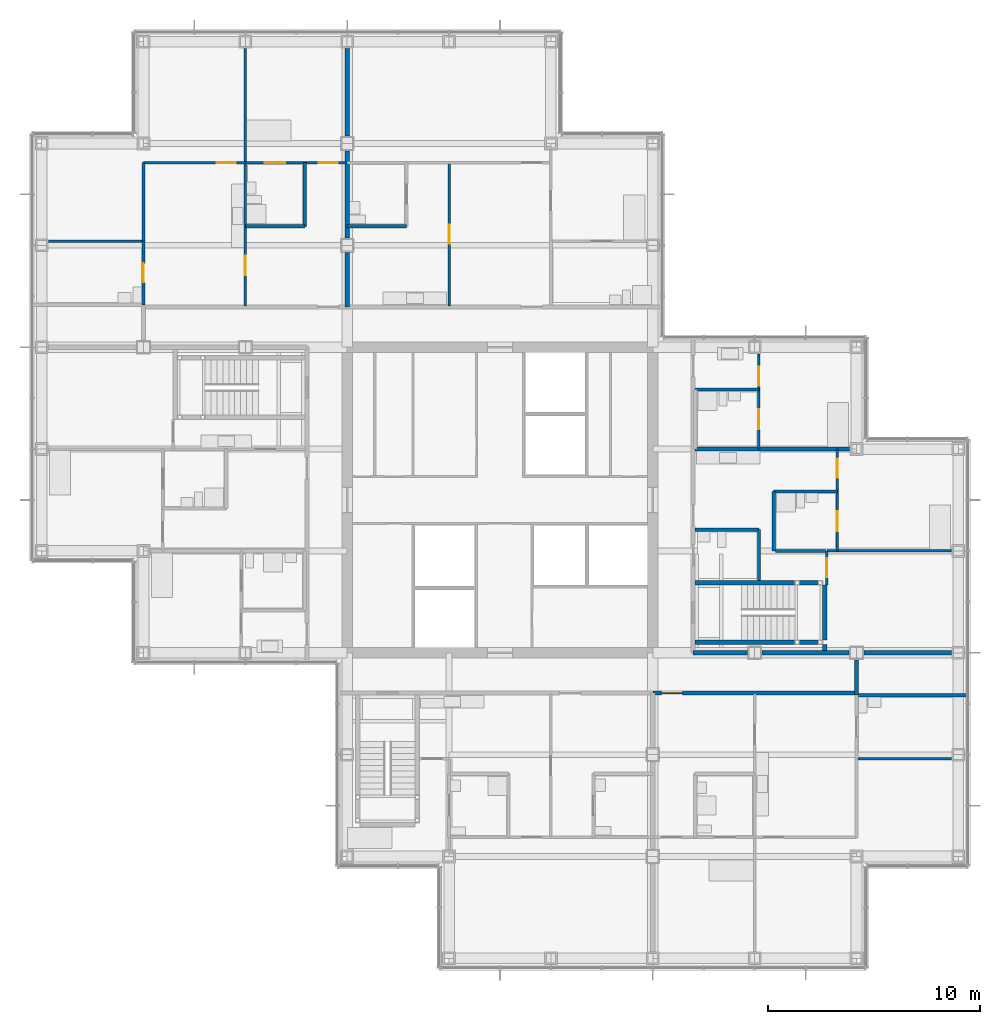
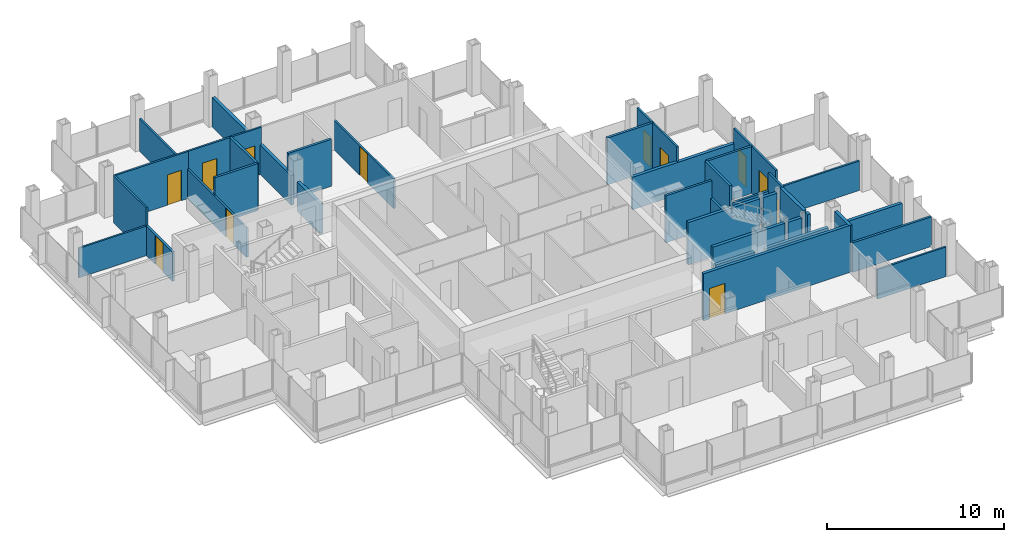
# One storey, part 16 of 20: 38 walls, 12 doors, 12 openings.
"""IFC4 building model written with IfcOpenShell, lengths in metres."""

from ifc_helpers import new_model, si_unit, direction, frame, frame_2d, origin, place, context, subcontext, project, spatial, rectangle, extrude, material, layer, layer_set, type_object, element, fill, save


model = new_model("IFC4")

# Units and contexts
model_context = context("Model", 3, precision=1e-05, world=origin(), true_north=direction((0.0, 1.0)))
body_context = subcontext(model_context, "Body", "Model", "MODEL_VIEW")
ifc_project = project(units=[si_unit("LENGTHUNIT", "METRE"), si_unit("AREAUNIT", "SQUARE_METRE"), si_unit("VOLUMEUNIT", "CUBIC_METRE"), si_unit("PLANEANGLEUNIT", "RADIAN"), si_unit("MASSUNIT", "GRAM", prefix="KILO")], contexts=[model_context])

# Site, building, storey
site_placement = place(None, origin())
site = spatial("IfcSite", under=ifc_project, at=site_placement, CompositionType="ELEMENT")
building_placement = place(site_placement, origin())
building = spatial("IfcBuilding", under=site, at=building_placement, Name="Kvirike Care Tower", CompositionType="ELEMENT")
storey_placement = place(building_placement, frame((0.0, 0.0, 133.0)))
storey = spatial("IfcBuildingStorey", under=building, at=storey_placement, Name="L36", CompositionType="ELEMENT", Elevation=133.0)

# Walls
ifc_material_1 = material(Name="Moisture-resistant board partition", Category="gypsum")
ifc_layer_1 = layer(ifc_material_1, 0.14990234375)
ifc_layer_set_1 = layer_set([ifc_layer_1], Name="BATHROOM WALL 150")
wall_type_1 = type_object("IfcWallType", Name="BATHROOM WALL 150", PredefinedType="PARTITIONING", material=ifc_layer_set_1)
wall_1_placement = place(storey_placement, frame((12.39990234375, 51.89990234375, 0.0), z_axis=(0.0, 0.0, 1.0), x_axis=(0.0, -1.0, 0.0)))
element("IfcWall", 1, at=wall_1_placement, inside=storey, type_object=wall_type_1, Name="Bathroom Wall 150 L36", PredefinedType="PARTITIONING", context=body_context, shape_type="SweptSolid", body=[
    extrude(rectangle(XDim=3.0, YDim=0.14990234375, at=frame_2d((1.5, 0.0))), origin(), (0.0, 0.0, 1.0), 3.25),
])
wall_2_placement = place(storey_placement, frame((12.39990234375, 48.89990234375, 0.0), z_axis=(0.0, 0.0, 1.0), x_axis=(-1.0, 0.0, 0.0)))
element("IfcWall", 2, at=wall_2_placement, inside=storey, type_object=wall_type_1, Name="Bathroom Wall 150 L36", PredefinedType="PARTITIONING", context=body_context, shape_type="SweptSolid", body=[
    extrude(rectangle(XDim=2.7998046875, YDim=0.14990234375, at=frame_2d((1.39990234375, 0.0))), origin(), (0.0, 0.0, 1.0), 3.25),
])

# Wall, opening, door
wall_3_placement = place(storey_placement, frame((4.800048828125, 48.199951171875, 0.0), z_axis=(0.0, 0.0, 1.0), x_axis=(0.0, -1.0, 0.0)))
wall_3 = element("IfcWall", 3, at=wall_3_placement, inside=storey, type_object=wall_type_1, Name="Bathroom Wall 150 L36", PredefinedType="PARTITIONING", context=body_context, shape_type="SweptSolid", body=[
    extrude(rectangle(XDim=3.0, YDim=0.14990234375, at=frame_2d((1.5, 0.0))), origin(), (0.0, 0.0, 1.0), 2.0400390625),
])
opening_1_placement = place(wall_3_placement, frame((1.050048828125, 0.0, 0.0)))
opening_1 = element("IfcOpeningElement", 4, at=opening_1_placement, cuts=wall_3, Name="Opening 36-010", PredefinedType="OPENING", context=body_context, shape_type="SweptSolid", body=[
    extrude(rectangle(XDim=0.89990234375, YDim=2.0, at=frame_2d((0.449951171875, 1.0))), frame((0.0, 0.08544921875, 0.0), z_axis=(0.0, -1.0, 0.0), x_axis=(1.0, 0.0, 0.0)), (0.0, 0.0, 1.0), 0.1708984375),
])
ifc_material_2 = material(Name="Timber door set", Category="wood")
door_type_1 = type_object("IfcDoorType", Name="BATHROOM DOOR 900 x 2000", OperationType="SINGLE_SWING_RIGHT", PredefinedType="DOOR", material=ifc_material_2)
door_1_placement = place(opening_1_placement, frame((0.89990234375, 0.0, 0.0), z_axis=(0.0, 0.0, 1.0), x_axis=(-1.0, 0.0, 0.0)))
door_1 = element("IfcDoor", 5, at=door_1_placement, inside=storey, type_object=door_type_1, Name="Accessible WC door", OperationType="SINGLE_SWING_LEFT", OverallHeight=2.0, OverallWidth=0.89990234375, PredefinedType="DOOR", context=body_context, shape_type="SweptSolid", body=[
    extrude(rectangle(XDim=0.89990234375, YDim=2.0, at=frame_2d((0.449951171875, 1.0))), frame((0.0, 0.02197265625, 0.0), z_axis=(0.0, -1.0, 0.0), x_axis=(1.0, 0.0, 0.0)), (0.0, 0.0, 1.0), 0.0439453125),
])
fill(opening_1, door_1)

# Walls
wall_4_placement = place(storey_placement, frame((17.199951171875, 48.89990234375, 0.0), z_axis=(0.0, 0.0, 1.0), x_axis=(-1.0, 0.0, 0.0)))
element("IfcWall", 6, at=wall_4_placement, inside=storey, type_object=wall_type_1, Name="Bathroom Wall 150 L36", PredefinedType="PARTITIONING", context=body_context, shape_type="SweptSolid", body=[
    extrude(rectangle(XDim=2.800048828125, YDim=0.14990234375, at=frame_2d((1.39990234375, 0.0))), origin(), (0.0, 0.0, 1.0), 3.25),
])
wall_5_placement = place(storey_placement, frame((33.800048828125, 32.199951171875, 0.0), z_axis=(0.0, 0.0, 1.0), x_axis=(0.0, 1.0, 0.0)))
element("IfcWall", 7, at=wall_5_placement, inside=storey, type_object=wall_type_1, Name="Bathroom Wall 150 L36", PredefinedType="PARTITIONING", context=body_context, shape_type="SweptSolid", body=[
    extrude(rectangle(XDim=2.400146484375, YDim=0.14990234375, at=frame_2d((1.2001953125, 0.0))), origin(), (0.0, 0.0, 1.0), 2.0400390625),
])
for number, where, z_axis, x_axis, name in (
    (8, (33.800048828125, 34.60009765625, 0.0), (0.0, 0.0, 1.0), (-1.0, 0.0, 0.0), "Bathroom Wall 150 L36"),
    (9, (37.5, 36.39990234375, 0.0), (0.0, 0.0, 1.0), (-1.0, 0.0, 0.0), "Bathroom Wall 150 L36"),
):
    element("IfcWall", number, at=place(storey_placement, frame(where, z_axis=z_axis, x_axis=x_axis)), inside=storey, type_object=wall_type_1, Name=name, PredefinedType="PARTITIONING", context=body_context, shape_type="SweptSolid", body=[
        extrude(rectangle(XDim=3.0, YDim=0.14990234375, at=frame_2d((1.5, 0.0))), origin(), (0.0, 0.0, 1.0), 3.25),
    ])
wall_6_placement = place(storey_placement, frame((34.5, 33.60009765625, 0.0), z_axis=(0.0, 0.0, 1.0), x_axis=(0.0, 1.0, 0.0)))
element("IfcWall", 10, at=wall_6_placement, inside=storey, type_object=wall_type_1, Name="Bathroom Wall 150 L36", PredefinedType="PARTITIONING", context=body_context, shape_type="SweptSolid", body=[
    extrude(rectangle(XDim=2.7998046875, YDim=0.14990234375, at=frame_2d((1.39990234375, 0.0))), origin(), (0.0, 0.0, 1.0), 3.25),
])
wall_7_placement = place(storey_placement, frame((33.800048828125, 41.199951171875, 0.0), z_axis=(0.0, 0.0, 1.0), x_axis=(-1.0, 0.0, 0.0)))
element("IfcWall", 11, at=wall_7_placement, inside=storey, type_object=wall_type_1, Name="Bathroom Wall 150 L36", PredefinedType="PARTITIONING", context=body_context, shape_type="SweptSolid", body=[
    extrude(rectangle(XDim=3.0, YDim=0.14990234375, at=frame_2d((1.5, 0.0))), origin(), (0.0, 0.0, 1.0), 3.25),
])
wall_8_placement = place(storey_placement, frame((38.5, 26.800048828125, 0.0), z_axis=(0.0, 0.0, 1.0), x_axis=(1.0, 0.0, 0.0)))
element("IfcWall", 12, at=wall_8_placement, inside=storey, type_object=wall_type_1, Name="Bathroom Wall 150 L36", PredefinedType="PARTITIONING", context=body_context, shape_type="SweptSolid", body=[
    extrude(rectangle(XDim=5.139892578125, YDim=0.14990234375, at=frame_2d((2.56982421875, 0.0))), origin(), (0.0, 0.0, 1.0), 2.0400390625),
])
wall_9_placement = place(storey_placement, frame((36.93994140625, 33.60009765625, 0.0), z_axis=(0.0, 0.0, 1.0), x_axis=(-1.0, 0.0, 0.0)))
element("IfcWall", 13, at=wall_9_placement, inside=storey, type_object=wall_type_1, Name="Bathroom Wall 150 L36", PredefinedType="PARTITIONING", context=body_context, shape_type="SweptSolid", body=[
    extrude(rectangle(XDim=2.364990234375, YDim=0.14990234375, at=frame_2d((1.1826171875, 0.0))), origin(), (0.0, 0.0, 1.0), 2.0400390625),
])

# Wall, opening, door
ifc_material_3 = material(Name="Plasterboard corridor wall", Category="gypsum")
ifc_layer_2 = layer(ifc_material_3, 0.199951171875)
ifc_layer_set_2 = layer_set([ifc_layer_2], Name="CORRIDOR WALL 200")
wall_type_2 = type_object("IfcWallType", Name="CORRIDOR WALL 200", PredefinedType="PARTITIONING", material=ifc_layer_set_2)
wall_10_placement = place(storey_placement, frame((28.800048828125, 26.89990234375, 0.0), z_axis=(0.0, 0.0, 1.0), x_axis=(1.0, 0.0, 0.0)))
wall_10 = element("IfcWall", 14, at=wall_10_placement, inside=storey, type_object=wall_type_2, Name="Corridor Wall 200 L36", PredefinedType="PARTITIONING", context=body_context, shape_type="SweptSolid", body=[
    extrude(rectangle(XDim=9.599853515625, YDim=0.199951171875, at=frame_2d((4.7998046875, 0.0))), origin(), (0.0, 0.0, 1.0), 3.25),
])
opening_2_placement = place(wall_10_placement, frame((0.39990234375, 0.0, 0.0)))
opening_2 = element("IfcOpeningElement", 15, at=opening_2_placement, cuts=wall_10, Name="Opening 36-034", PredefinedType="OPENING", context=body_context, shape_type="SweptSolid", body=[
    extrude(rectangle(XDim=1.0, YDim=2.10009765625, at=frame_2d((0.5, 1.050048828125))), frame((0.0, 0.110595703125, 0.0), z_axis=(0.0, -1.0, 0.0), x_axis=(1.0, 0.0, 0.0)), (0.0, 0.0, 1.0), 0.220947265625),
])
ifc_material_4 = material(Name="Timber door set", Category="wood")
door_type_2 = type_object("IfcDoorType", Name="FLAT ENTRANCE DOOR 1000", OperationType="SINGLE_SWING_LEFT", PredefinedType="DOOR", material=ifc_material_4)
door_2_placement = place(opening_2_placement, frame((1.0, 0.0, 0.0), z_axis=(0.0, 0.0, 1.0), x_axis=(-1.0, 0.0, 0.0)))
door_2 = element("IfcDoor", 16, at=door_2_placement, inside=storey, type_object=door_type_2, Name="Assisted living suite for couples entrance", OperationType="SINGLE_SWING_LEFT", OverallHeight=2.10009765625, OverallWidth=1.0, PredefinedType="DOOR", context=body_context, shape_type="SweptSolid", body=[
    extrude(rectangle(XDim=1.0, YDim=2.10009765625, at=frame_2d((0.5, 1.050048828125))), frame((0.0, 0.02685546875, 0.0), z_axis=(0.0, -1.0, 0.0), x_axis=(1.0, 0.0, 0.0)), (0.0, 0.0, 1.0), 0.053955078125),
])
fill(opening_2, door_2)

# Wall
wall_11_placement = place(storey_placement, frame((38.39990234375, 26.800048828125, 0.0), z_axis=(0.0, 0.0, 1.0), x_axis=(0.0, 1.0, 0.0)))
element("IfcWall", 17, at=wall_11_placement, inside=storey, type_object=wall_type_2, Name="Corridor Wall 200 L36", PredefinedType="PARTITIONING", context=body_context, shape_type="SweptSolid", body=[
    extrude(rectangle(XDim=1.655029296875, YDim=0.199951171875, at=frame_2d((0.82763671875, 0.0))), origin(), (0.0, 0.0, 1.0), 3.25),
])

# Wall, opening, door
ifc_material_5 = material(Name="Plasterboard partition", Category="gypsum")
ifc_layer_3 = layer(ifc_material_5, 0.1201171875)
ifc_layer_set_3 = layer_set([ifc_layer_3], Name="PARTITION 120")
wall_type_3 = type_object("IfcWallType", Name="PARTITION 120", PredefinedType="PARTITIONING", material=ifc_layer_set_3)
wall_12_placement = place(storey_placement, frame((9.60009765625, 51.89990234375, 0.0), z_axis=(0.0, 0.0, 1.0), x_axis=(0.0, -1.0, 0.0)))
wall_12 = element("IfcWall", 18, at=wall_12_placement, inside=storey, type_object=wall_type_3, Name="Partition 120 L36", PredefinedType="PARTITIONING", context=body_context, shape_type="SweptSolid", body=[
    extrude(rectangle(XDim=6.75, YDim=0.1201171875, at=frame_2d((3.375, 0.0))), origin(), (0.0, 0.0, 1.0), 2.0400390625),
])
opening_3_placement = place(wall_12_placement, frame((4.39990234375, 0.0, 0.0)))
opening_3 = element("IfcOpeningElement", 19, at=opening_3_placement, cuts=wall_12, Name="Opening 36-011", PredefinedType="OPENING", context=body_context, shape_type="SweptSolid", body=[
    extrude(rectangle(XDim=0.89990234375, YDim=2.0, at=frame_2d((0.449951171875, 1.0))), frame((0.0, 0.070556640625, 0.0), z_axis=(0.0, -1.0, 0.0), x_axis=(1.0, 0.0, 0.0)), (0.0, 0.0, 1.0), 0.14111328125),
])
ifc_material_6 = material(Name="Timber door set", Category="wood")
door_type_3 = type_object("IfcDoorType", Name="INTERNAL DOOR 900 x 2000", OperationType="SINGLE_SWING_LEFT", PredefinedType="DOOR", material=ifc_material_6)
door_3_placement = place(opening_3_placement, origin())
door_3 = element("IfcDoor", 20, at=door_3_placement, inside=storey, type_object=door_type_3, Name="Hall door", OperationType="SINGLE_SWING_RIGHT", OverallHeight=2.0, OverallWidth=0.89990234375, PredefinedType="DOOR", context=body_context, shape_type="SweptSolid", body=[
    extrude(rectangle(XDim=0.89990234375, YDim=2.0, at=frame_2d((0.449951171875, 1.0))), frame((0.0, 0.02197265625, 0.0), z_axis=(0.0, -1.0, 0.0), x_axis=(1.0, 0.0, 0.0)), (0.0, 0.0, 1.0), 0.0439453125),
])
fill(opening_3, door_3)

# Wall, openings, doors
wall_13_placement = place(storey_placement, frame((14.39990234375, 51.89990234375, 0.0), z_axis=(0.0, 0.0, 1.0), x_axis=(-1.0, 0.0, 0.0)))
wall_13 = element("IfcWall", 21, at=wall_13_placement, inside=storey, type_object=wall_type_3, Name="Partition 120 L36", PredefinedType="PARTITIONING", context=body_context, shape_type="SweptSolid", body=[
    extrude(rectangle(XDim=4.7998046875, YDim=0.1201171875, at=frame_2d((2.39990234375, 0.0))), origin(), (0.0, 0.0, 1.0), 3.25),
])
opening_4_placement = place(wall_13_placement, frame((0.449951171875, 0.0, 0.0)))
opening_4 = element("IfcOpeningElement", 22, at=opening_4_placement, cuts=wall_13, Name="Opening 36-012", PredefinedType="OPENING", context=body_context, shape_type="SweptSolid", body=[
    extrude(rectangle(XDim=0.89990234375, YDim=2.10009765625, at=frame_2d((0.449951171875, 1.050048828125))), frame((0.0, 0.070556640625, 0.0), z_axis=(0.0, -1.0, 0.0), x_axis=(1.0, 0.0, 0.0)), (0.0, 0.0, 1.0), 0.14111328125),
])
opening_5_placement = place(wall_13_placement, frame((2.925048828125, 0.0, 0.0)))
opening_5 = element("IfcOpeningElement", 23, at=opening_5_placement, cuts=wall_13, Name="Opening 36-013", PredefinedType="OPENING", context=body_context, shape_type="SweptSolid", body=[
    extrude(rectangle(XDim=0.949951171875, YDim=2.10009765625, at=frame_2d((0.47509765625, 1.050048828125))), frame((0.0, 0.070556640625, 0.0), z_axis=(0.0, -1.0, 0.0), x_axis=(1.0, 0.0, 0.0)), (0.0, 0.0, 1.0), 0.14111328125),
])
ifc_material_7 = material(Name="Timber door set", Category="wood")
door_type_4 = type_object("IfcDoorType", Name="EN-SUITE SLIDING DOOR 950", OperationType="SLIDING_TO_LEFT", PredefinedType="DOOR", material=ifc_material_7)
door_4_placement = place(opening_5_placement, origin())
door_4 = element("IfcDoor", 24, at=door_4_placement, inside=storey, type_object=door_type_4, Name="En-suite door", OperationType="SLIDING_TO_LEFT", OverallHeight=2.10009765625, OverallWidth=0.949951171875, PredefinedType="DOOR", context=body_context, shape_type="SweptSolid", body=[
    extrude(rectangle(XDim=0.949951171875, YDim=2.10009765625, at=frame_2d((0.47509765625, 1.050048828125))), frame((0.0, 0.02197265625, 0.0), z_axis=(0.0, -1.0, 0.0), x_axis=(1.0, 0.0, 0.0)), (0.0, 0.0, 1.0), 0.0439453125),
])
fill(opening_5, door_4)
ifc_material_8 = material(Name="Timber door set", Category="wood")
door_type_5 = type_object("IfcDoorType", Name="INTERNAL DOOR 900", OperationType="SINGLE_SWING_LEFT", PredefinedType="DOOR", material=ifc_material_8)
door_5_placement = place(opening_4_placement, origin())
door_5 = element("IfcDoor", 25, at=door_5_placement, inside=storey, type_object=door_type_5, Name="Assisted living suite door", OperationType="SINGLE_SWING_RIGHT", OverallHeight=2.10009765625, OverallWidth=0.89990234375, PredefinedType="DOOR", context=body_context, shape_type="SweptSolid", body=[
    extrude(rectangle(XDim=0.89990234375, YDim=2.10009765625, at=frame_2d((0.449951171875, 1.050048828125))), frame((0.0, 0.02197265625, 0.0), z_axis=(0.0, -1.0, 0.0), x_axis=(1.0, 0.0, 0.0)), (0.0, 0.0, 1.0), 0.0439453125),
])
fill(opening_4, door_5)

# Wall, opening, door
wall_14_placement = place(storey_placement, frame((9.60009765625, 51.89990234375, 0.0), z_axis=(0.0, 0.0, 1.0), x_axis=(-1.0, 0.0, 0.0)))
wall_14 = element("IfcWall", 26, at=wall_14_placement, inside=storey, type_object=wall_type_3, Name="Partition 120 L36", PredefinedType="PARTITIONING", context=body_context, shape_type="SweptSolid", body=[
    extrude(rectangle(XDim=4.800048828125, YDim=0.1201171875, at=frame_2d((2.39990234375, 0.0))), origin(), (0.0, 0.0, 1.0), 3.25),
])
opening_6_placement = place(wall_14_placement, frame((0.449951171875, 0.0, 0.0)))
opening_6 = element("IfcOpeningElement", 27, at=opening_6_placement, cuts=wall_14, Name="Opening 36-014", PredefinedType="OPENING", context=body_context, shape_type="SweptSolid", body=[
    extrude(rectangle(XDim=0.89990234375, YDim=2.10009765625, at=frame_2d((0.449951171875, 1.050048828125))), frame((0.0, 0.070556640625, 0.0), z_axis=(0.0, -1.0, 0.0), x_axis=(1.0, 0.0, 0.0)), (0.0, 0.0, 1.0), 0.14111328125),
])
door_6_placement = place(opening_6_placement, origin())
door_6 = element("IfcDoor", 28, at=door_6_placement, inside=storey, type_object=door_type_5, Name="Suite sitting room door", OperationType="SINGLE_SWING_RIGHT", OverallHeight=2.10009765625, OverallWidth=0.89990234375, PredefinedType="DOOR", context=body_context, shape_type="SweptSolid", body=[
    extrude(rectangle(XDim=0.89990234375, YDim=2.10009765625, at=frame_2d((0.449951171875, 1.050048828125))), frame((0.0, 0.02197265625, 0.0), z_axis=(0.0, -1.0, 0.0), x_axis=(1.0, 0.0, 0.0)), (0.0, 0.0, 1.0), 0.0439453125),
])
fill(opening_6, door_6)

# Walls
wall_15_placement = place(storey_placement, frame((4.800048828125, 48.199951171875, 0.0), z_axis=(0.0, 0.0, 1.0), x_axis=(-1.0, 0.0, 0.0)))
element("IfcWall", 29, at=wall_15_placement, inside=storey, type_object=wall_type_3, Name="Partition 120 L36", PredefinedType="PARTITIONING", context=body_context, shape_type="SweptSolid", body=[
    extrude(rectangle(XDim=4.47998046875, YDim=0.1201171875, at=frame_2d((2.239990234375, 0.0))), origin(), (0.0, 0.0, 1.0), 2.0400390625),
])
wall_16_placement = place(storey_placement, frame((9.60009765625, 57.280029296875, 0.0), z_axis=(0.0, 0.0, 1.0), x_axis=(0.0, -1.0, 0.0)))
element("IfcWall", 30, at=wall_16_placement, inside=storey, type_object=wall_type_3, Name="Partition 120 L36", PredefinedType="PARTITIONING", context=body_context, shape_type="SweptSolid", body=[
    extrude(rectangle(XDim=5.380126953125, YDim=0.1201171875, at=frame_2d((2.68994140625, 0.0))), origin(), (0.0, 0.0, 1.0), 2.239990234375),
])
wall_17_placement = place(storey_placement, frame((4.800048828125, 51.89990234375, 0.0), z_axis=(0.0, 0.0, 1.0), x_axis=(0.0, -1.0, 0.0)))
element("IfcWall", 31, at=wall_17_placement, inside=storey, type_object=wall_type_3, Name="Partition 120 L36", PredefinedType="PARTITIONING", context=body_context, shape_type="SweptSolid", body=[
    extrude(rectangle(XDim=3.699951171875, YDim=0.1201171875, at=frame_2d((1.85009765625, 0.0))), origin(), (0.0, 0.0, 1.0), 3.25),
])

# Wall, opening, door
wall_18_placement = place(storey_placement, frame((19.199951171875, 51.89990234375, 0.0), z_axis=(0.0, 0.0, 1.0), x_axis=(0.0, -1.0, 0.0)))
wall_18 = element("IfcWall", 32, at=wall_18_placement, inside=storey, type_object=wall_type_3, Name="Partition 120 L36", PredefinedType="PARTITIONING", context=body_context, shape_type="SweptSolid", body=[
    extrude(rectangle(XDim=6.75, YDim=0.1201171875, at=frame_2d((3.375, 0.0))), origin(), (0.0, 0.0, 1.0), 2.0400390625),
])
opening_7_placement = place(wall_18_placement, frame((2.925048828125, 0.0, 0.0)))
opening_7 = element("IfcOpeningElement", 33, at=opening_7_placement, cuts=wall_18, Name="Opening 36-024", PredefinedType="OPENING", context=body_context, shape_type="SweptSolid", body=[
    extrude(rectangle(XDim=0.89990234375, YDim=2.0, at=frame_2d((0.449951171875, 1.0))), frame((0.0, 0.070556640625, 0.0), z_axis=(0.0, -1.0, 0.0), x_axis=(1.0, 0.0, 0.0)), (0.0, 0.0, 1.0), 0.14111328125),
])
door_7_placement = place(opening_7_placement, frame((0.89990234375, 0.0, 0.0), z_axis=(0.0, 0.0, 1.0), x_axis=(-1.0, 0.0, 0.0)))
door_7 = element("IfcDoor", 34, at=door_7_placement, inside=storey, type_object=door_type_3, Name="Hall door", OperationType="SINGLE_SWING_RIGHT", OverallHeight=2.0, OverallWidth=0.89990234375, PredefinedType="DOOR", context=body_context, shape_type="SweptSolid", body=[
    extrude(rectangle(XDim=0.89990234375, YDim=2.0, at=frame_2d((0.449951171875, 1.0))), frame((0.0, 0.02197265625, 0.0), z_axis=(0.0, -1.0, 0.0), x_axis=(1.0, 0.0, 0.0)), (0.0, 0.0, 1.0), 0.0439453125),
])
fill(opening_7, door_7)

# Wall
wall_19_placement = place(storey_placement, frame((38.39990234375, 23.800048828125, 0.0), z_axis=(0.0, 0.0, 1.0), x_axis=(1.0, 0.0, 0.0)))
element("IfcWall", 35, at=wall_19_placement, inside=storey, type_object=wall_type_3, Name="Partition 120 L36", PredefinedType="PARTITIONING", context=body_context, shape_type="SweptSolid", body=[
    extrude(rectangle(XDim=4.47998046875, YDim=0.1201171875, at=frame_2d((2.239990234375, 0.0))), origin(), (0.0, 0.0, 1.0), 2.0400390625),
])

# Wall, opening, door
wall_20_placement = place(storey_placement, frame((37.0, 32.0, 0.0), z_axis=(0.0, 0.0, 1.0), x_axis=(0.0, 1.0, 0.0)))
wall_20 = element("IfcWall", 36, at=wall_20_placement, inside=storey, type_object=wall_type_3, Name="Partition 120 L36", PredefinedType="PARTITIONING", context=body_context, shape_type="SweptSolid", body=[
    extrude(rectangle(XDim=1.60009765625, YDim=0.1201171875, at=frame_2d((0.800048828125, 0.0))), origin(), (0.0, 0.0, 1.0), 3.25),
])
opening_8_placement = place(wall_20_placement, frame((0.35009765625, 0.0, 0.0)))
opening_8 = element("IfcOpeningElement", 37, at=opening_8_placement, cuts=wall_20, Name="Opening 36-035", PredefinedType="OPENING", context=body_context, shape_type="SweptSolid", body=[
    extrude(rectangle(XDim=0.89990234375, YDim=2.10009765625, at=frame_2d((0.449951171875, 1.050048828125))), frame((0.0, 0.070556640625, 0.0), z_axis=(0.0, -1.0, 0.0), x_axis=(1.0, 0.0, 0.0)), (0.0, 0.0, 1.0), 0.14111328125),
])
door_8_placement = place(opening_8_placement, origin())
door_8 = element("IfcDoor", 38, at=door_8_placement, inside=storey, type_object=door_type_5, Name="Suite sitting room door", OperationType="SINGLE_SWING_RIGHT", OverallHeight=2.10009765625, OverallWidth=0.89990234375, PredefinedType="DOOR", context=body_context, shape_type="SweptSolid", body=[
    extrude(rectangle(XDim=0.89990234375, YDim=2.10009765625, at=frame_2d((0.449951171875, 1.050048828125))), frame((0.0, 0.02197265625, 0.0), z_axis=(0.0, -1.0, 0.0), x_axis=(1.0, 0.0, 0.0)), (0.0, 0.0, 1.0), 0.0439453125),
])
fill(opening_8, door_8)

# Wall, openings, doors
wall_21_placement = place(storey_placement, frame((37.5, 33.60009765625, 0.0), z_axis=(0.0, 0.0, 1.0), x_axis=(0.0, 1.0, 0.0)))
wall_21 = element("IfcWall", 39, at=wall_21_placement, inside=storey, type_object=wall_type_3, Name="Partition 120 L36", PredefinedType="PARTITIONING", context=body_context, shape_type="SweptSolid", body=[
    extrude(rectangle(XDim=4.7998046875, YDim=0.1201171875, at=frame_2d((2.39990234375, 0.0))), origin(), (0.0, 0.0, 1.0), 3.25),
])
opening_9_placement = place(wall_21_placement, frame((3.449951171875, 0.0, 0.0)))
opening_9 = element("IfcOpeningElement", 40, at=opening_9_placement, cuts=wall_21, Name="Opening 36-036", PredefinedType="OPENING", context=body_context, shape_type="SweptSolid", body=[
    extrude(rectangle(XDim=0.89990234375, YDim=2.10009765625, at=frame_2d((0.449951171875, 1.050048828125))), frame((0.0, 0.070556640625, 0.0), z_axis=(0.0, -1.0, 0.0), x_axis=(1.0, 0.0, 0.0)), (0.0, 0.0, 1.0), 0.14111328125),
])
opening_10_placement = place(wall_21_placement, frame((0.925048828125, 0.0, 0.0)))
opening_10 = element("IfcOpeningElement", 41, at=opening_10_placement, cuts=wall_21, Name="Opening 36-037", PredefinedType="OPENING", context=body_context, shape_type="SweptSolid", body=[
    extrude(rectangle(XDim=0.949951171875, YDim=2.10009765625, at=frame_2d((0.47509765625, 1.050048828125))), frame((0.0, 0.070556640625, 0.0), z_axis=(0.0, -1.0, 0.0), x_axis=(1.0, 0.0, 0.0)), (0.0, 0.0, 1.0), 0.14111328125),
])
door_9_placement = place(opening_10_placement, origin())
door_9 = element("IfcDoor", 42, at=door_9_placement, inside=storey, type_object=door_type_4, Name="En-suite door", OperationType="SLIDING_TO_LEFT", OverallHeight=2.10009765625, OverallWidth=0.949951171875, PredefinedType="DOOR", context=body_context, shape_type="SweptSolid", body=[
    extrude(rectangle(XDim=0.949951171875, YDim=2.10009765625, at=frame_2d((0.47509765625, 1.050048828125))), frame((0.0, 0.02197265625, 0.0), z_axis=(0.0, -1.0, 0.0), x_axis=(1.0, 0.0, 0.0)), (0.0, 0.0, 1.0), 0.0439453125),
])
fill(opening_10, door_9)
door_10_placement = place(opening_9_placement, origin())
door_10 = element("IfcDoor", 43, at=door_10_placement, inside=storey, type_object=door_type_5, Name="Assisted living suite door", OperationType="SINGLE_SWING_LEFT", OverallHeight=2.10009765625, OverallWidth=0.89990234375, PredefinedType="DOOR", context=body_context, shape_type="SweptSolid", body=[
    extrude(rectangle(XDim=0.89990234375, YDim=2.10009765625, at=frame_2d((0.449951171875, 1.050048828125))), frame((0.0, 0.02197265625, 0.0), z_axis=(0.0, -1.0, 0.0), x_axis=(1.0, 0.0, 0.0)), (0.0, 0.0, 1.0), 0.0439453125),
])
fill(opening_9, door_10)

# Wall
wall_22_placement = place(storey_placement, frame((42.8798828125, 33.60009765625, 0.0), z_axis=(0.0, 0.0, 1.0), x_axis=(-1.0, 0.0, 0.0)))
element("IfcWall", 44, at=wall_22_placement, inside=storey, type_object=wall_type_3, Name="Partition 120 L36", PredefinedType="PARTITIONING", context=body_context, shape_type="SweptSolid", body=[
    extrude(rectangle(XDim=5.8798828125, YDim=0.1201171875, at=frame_2d((2.93994140625, 0.0))), origin(), (0.0, 0.0, 1.0), 2.0400390625),
])

# Wall, openings, doors
wall_23_placement = place(storey_placement, frame((33.800048828125, 38.39990234375, 0.0), z_axis=(0.0, 0.0, 1.0), x_axis=(0.0, 1.0, 0.0)))
wall_23 = element("IfcWall", 45, at=wall_23_placement, inside=storey, type_object=wall_type_3, Name="Partition 120 L36", PredefinedType="PARTITIONING", context=body_context, shape_type="SweptSolid", body=[
    extrude(rectangle(XDim=4.47998046875, YDim=0.1201171875, at=frame_2d((2.239990234375, 0.0))), origin(), (0.0, 0.0, 1.0), 3.25),
])
opening_11_placement = place(wall_23_placement, frame((2.97509765625, 0.0, 0.0)))
opening_11 = element("IfcOpeningElement", 46, at=opening_11_placement, cuts=wall_23, Name="Opening 36-038", PredefinedType="OPENING", context=body_context, shape_type="SweptSolid", body=[
    extrude(rectangle(XDim=0.89990234375, YDim=2.10009765625, at=frame_2d((0.449951171875, 1.050048828125))), frame((0.0, 0.070556640625, 0.0), z_axis=(0.0, -1.0, 0.0), x_axis=(1.0, 0.0, 0.0)), (0.0, 0.0, 1.0), 0.14111328125),
])
opening_12_placement = place(wall_23_placement, frame((0.925048828125, 0.0, 0.0)))
opening_12 = element("IfcOpeningElement", 47, at=opening_12_placement, cuts=wall_23, Name="Opening 36-039", PredefinedType="OPENING", context=body_context, shape_type="SweptSolid", body=[
    extrude(rectangle(XDim=0.949951171875, YDim=2.10009765625, at=frame_2d((0.47509765625, 1.050048828125))), frame((0.0, 0.070556640625, 0.0), z_axis=(0.0, -1.0, 0.0), x_axis=(1.0, 0.0, 0.0)), (0.0, 0.0, 1.0), 0.14111328125),
])
door_11_placement = place(opening_12_placement, origin())
door_11 = element("IfcDoor", 48, at=door_11_placement, inside=storey, type_object=door_type_4, Name="En-suite door", OperationType="SLIDING_TO_RIGHT", OverallHeight=2.10009765625, OverallWidth=0.949951171875, PredefinedType="DOOR", context=body_context, shape_type="SweptSolid", body=[
    extrude(rectangle(XDim=0.949951171875, YDim=2.10009765625, at=frame_2d((0.47509765625, 1.050048828125))), frame((0.0, 0.02197265625, 0.0), z_axis=(0.0, -1.0, 0.0), x_axis=(1.0, 0.0, 0.0)), (0.0, 0.0, 1.0), 0.0439453125),
])
fill(opening_12, door_11)
door_12_placement = place(opening_11_placement, origin())
door_12 = element("IfcDoor", 49, at=door_12_placement, inside=storey, type_object=door_type_5, Name="Assisted living suite door", OperationType="SINGLE_SWING_RIGHT", OverallHeight=2.10009765625, OverallWidth=0.89990234375, PredefinedType="DOOR", context=body_context, shape_type="SweptSolid", body=[
    extrude(rectangle(XDim=0.89990234375, YDim=2.10009765625, at=frame_2d((0.449951171875, 1.050048828125))), frame((0.0, 0.02197265625, 0.0), z_axis=(0.0, -1.0, 0.0), x_axis=(1.0, 0.0, 0.0)), (0.0, 0.0, 1.0), 0.0439453125),
])
fill(opening_11, door_12)

# Walls
ifc_material_9 = material(Name="Plasterboard party wall", Category="gypsum")
ifc_layer_4 = layer(ifc_material_9, 0.199951171875)
ifc_layer_set_4 = layer_set([ifc_layer_4], Name="PARTY WALL 200")
wall_type_4 = type_object("IfcWallType", Name="PARTY WALL 200", PredefinedType="PARTITIONING", material=ifc_layer_set_4)
wall_24_placement = place(storey_placement, frame((38.080078125, 38.39990234375, 0.0), z_axis=(0.0, 0.0, 1.0), x_axis=(-1.0, 0.0, 0.0)))
element("IfcWall", 50, at=wall_24_placement, inside=storey, type_object=wall_type_4, Name="Party Wall 200 L36", PredefinedType="PARTITIONING", context=body_context, shape_type="SweptSolid", body=[
    extrude(rectangle(XDim=7.280029296875, YDim=0.199951171875, at=frame_2d((3.64013671875, 0.0))), origin(), (0.0, 0.0, 1.0), 2.239990234375),
])
wall_25_placement = place(storey_placement, frame((14.39990234375, 45.10009765625, 0.0), z_axis=(0.0, 0.0, 1.0), x_axis=(0.0, 1.0, 0.0)))
element("IfcWall", 51, at=wall_25_placement, inside=storey, type_object=wall_type_4, Name="Party Wall 200 L36", PredefinedType="PARTITIONING", context=body_context, shape_type="SweptSolid", body=[
    extrude(rectangle(XDim=2.554931640625, YDim=0.199951171875, at=frame_2d((1.27734375, 0.0))), origin(), (0.0, 0.0, 1.0), 2.0400390625),
])
wall_26_placement = place(storey_placement, frame((14.39990234375, 48.344970703125, 0.0), z_axis=(0.0, 0.0, 1.0), x_axis=(0.0, 1.0, 0.0)))
element("IfcWall", 52, at=wall_26_placement, inside=storey, type_object=wall_type_4, Name="Party Wall 200 L36", PredefinedType="PARTITIONING", context=body_context, shape_type="SweptSolid", body=[
    extrude(rectangle(XDim=4.110107421875, YDim=0.199951171875, at=frame_2d((2.05517578125, 0.0))), origin(), (0.0, 0.0, 1.0), 2.0400390625),
])
wall_27_placement = place(storey_placement, frame((14.39990234375, 53.14501953125, 0.0), z_axis=(0.0, 0.0, 1.0), x_axis=(0.0, 1.0, 0.0)))
element("IfcWall", 53, at=wall_27_placement, inside=storey, type_object=wall_type_4, Name="Party Wall 200 L36", PredefinedType="PARTITIONING", context=body_context, shape_type="SweptSolid", body=[
    extrude(rectangle(XDim=4.135009765625, YDim=0.199951171875, at=frame_2d((2.0673828125, 0.0))), origin(), (0.0, 0.0, 1.0), 2.0400390625),
])
wall_28_placement = place(storey_placement, frame((42.8798828125, 28.800048828125, 0.0), z_axis=(0.0, 0.0, 1.0), x_axis=(-1.0, 0.0, 0.0)))
element("IfcWall", 54, at=wall_28_placement, inside=storey, type_object=wall_type_4, Name="Party Wall 200 L36", PredefinedType="PARTITIONING", context=body_context, shape_type="SweptSolid", body=[
    extrude(rectangle(XDim=4.134765625, YDim=0.199951171875, at=frame_2d((2.0673828125, 0.0))), origin(), (0.0, 0.0, 1.0), 2.0400390625),
])
wall_29_placement = place(storey_placement, frame((38.054931640625, 28.800048828125, 0.0), z_axis=(0.0, 0.0, 1.0), x_axis=(-1.0, 0.0, 0.0)))
element("IfcWall", 55, at=wall_29_placement, inside=storey, type_object=wall_type_4, Name="Party Wall 200 L36", PredefinedType="PARTITIONING", context=body_context, shape_type="SweptSolid", body=[
    extrude(rectangle(XDim=4.10986328125, YDim=0.199951171875, at=frame_2d((2.054931640625, 0.0))), origin(), (0.0, 0.0, 1.0), 2.0400390625),
])
wall_30_placement = place(storey_placement, frame((33.2548828125, 28.800048828125, 0.0), z_axis=(0.0, 0.0, 1.0), x_axis=(-1.0, 0.0, 0.0)))
element("IfcWall", 56, at=wall_30_placement, inside=storey, type_object=wall_type_4, Name="Party Wall 200 L36", PredefinedType="PARTITIONING", context=body_context, shape_type="SweptSolid", body=[
    extrude(rectangle(XDim=2.554931640625, YDim=0.199951171875, at=frame_2d((1.27734375, 0.0))), origin(), (0.0, 0.0, 1.0), 2.0400390625),
])
ifc_material_10 = material(Name="Concrete C40/50", Category="concrete")
ifc_layer_5 = layer(ifc_material_10, 0.199951171875)
ifc_layer_set_5 = layer_set([ifc_layer_5], Name="STAIR WALL 200")
wall_type_5 = type_object("IfcWallType", Name="STAIR WALL 200", PredefinedType="SOLIDWALL", material=ifc_layer_set_5)
wall_31_placement = place(storey_placement, frame((36.60009765625, 29.300048828125, 0.0), z_axis=(0.0, 0.0, 1.0), x_axis=(-1.0, 0.0, 0.0)))
element("IfcWall", 57, at=wall_31_placement, inside=storey, type_object=wall_type_5, Name="Stair Wall 200 L36", PredefinedType="SOLIDWALL", context=body_context, shape_type="SweptSolid", body=[
    extrude(rectangle(XDim=0.900146484375, YDim=0.199951171875, at=frame_2d((0.4501953125, 0.0))), origin(), (0.0, 0.0, 1.0), 2.93994140625),
])
wall_32_placement = place(storey_placement, frame((35.5, 29.300048828125, 0.0), z_axis=(0.0, 0.0, 1.0), x_axis=(-1.0, 0.0, 0.0)))
element("IfcWall", 58, at=wall_32_placement, inside=storey, type_object=wall_type_5, Name="Stair Wall 200 L36", PredefinedType="SOLIDWALL", context=body_context, shape_type="SweptSolid", body=[
    extrude(rectangle(XDim=4.699951171875, YDim=0.199951171875, at=frame_2d((2.35009765625, 0.0))), origin(), (0.0, 0.0, 1.0), 2.93994140625),
])
wall_33_placement = place(storey_placement, frame((36.60009765625, 32.10009765625, 0.0), z_axis=(0.0, 0.0, 1.0), x_axis=(-1.0, 0.0, 0.0)))
element("IfcWall", 59, at=wall_33_placement, inside=storey, type_object=wall_type_5, Name="Stair Wall 200 L36", PredefinedType="SOLIDWALL", context=body_context, shape_type="SweptSolid", body=[
    extrude(rectangle(XDim=0.900146484375, YDim=0.199951171875, at=frame_2d((0.4501953125, 0.0))), origin(), (0.0, 0.0, 1.0), 2.93994140625),
])
wall_34_placement = place(storey_placement, frame((35.5, 32.10009765625, 0.0), z_axis=(0.0, 0.0, 1.0), x_axis=(-1.0, 0.0, 0.0)))
element("IfcWall", 60, at=wall_34_placement, inside=storey, type_object=wall_type_5, Name="Stair Wall 200 L36", PredefinedType="SOLIDWALL", context=body_context, shape_type="SweptSolid", body=[
    extrude(rectangle(XDim=4.699951171875, YDim=0.199951171875, at=frame_2d((2.35009765625, 0.0))), origin(), (0.0, 0.0, 1.0), 2.93994140625),
])
wall_35_placement = place(storey_placement, frame((36.89990234375, 28.89990234375, 0.0), z_axis=(0.0, 0.0, 1.0), x_axis=(0.0, 1.0, 0.0)))
element("IfcWall", 61, at=wall_35_placement, inside=storey, type_object=wall_type_5, Name="Stair Wall 200 L36", PredefinedType="SOLIDWALL", context=body_context, shape_type="SweptSolid", body=[
    extrude(rectangle(XDim=0.300048828125, YDim=0.199951171875, at=frame_2d((0.14990234375, 0.0))), origin(), (0.0, 0.0, 1.0), 3.25),
])
wall_36_placement = place(storey_placement, frame((36.89990234375, 29.39990234375, 0.0), z_axis=(0.0, 0.0, 1.0), x_axis=(0.0, 1.0, 0.0)))
element("IfcWall", 62, at=wall_36_placement, inside=storey, type_object=wall_type_5, Name="Stair Wall 200 L36", PredefinedType="SOLIDWALL", context=body_context, shape_type="SweptSolid", body=[
    extrude(rectangle(XDim=2.60009765625, YDim=0.199951171875, at=frame_2d((1.300048828125, 0.0))), origin(), (0.0, 0.0, 1.0), 3.25),
])

save(model, "model.ifc")
